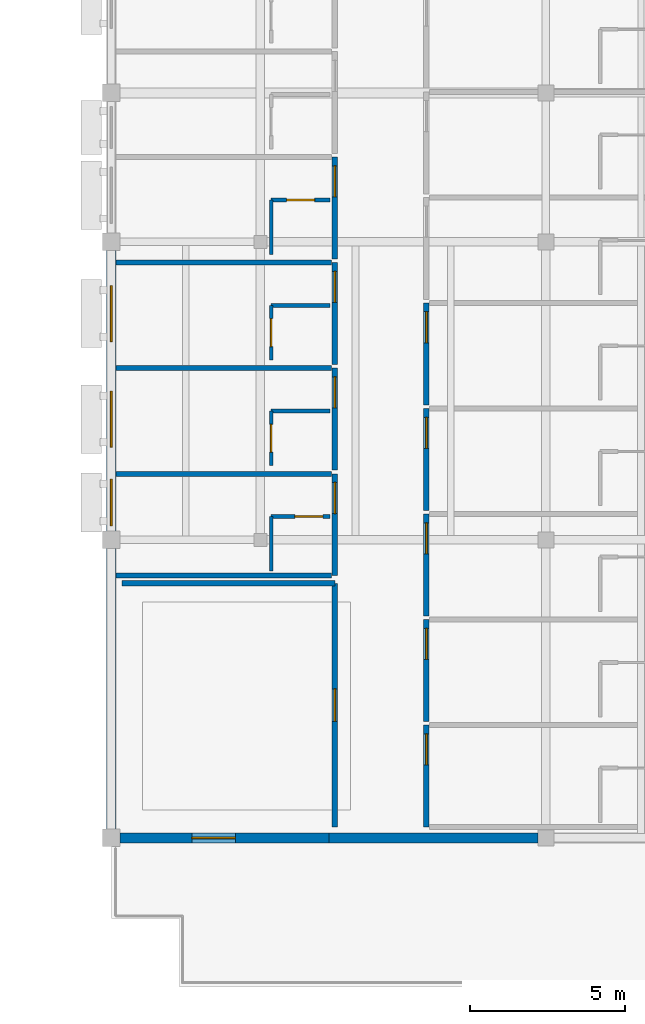
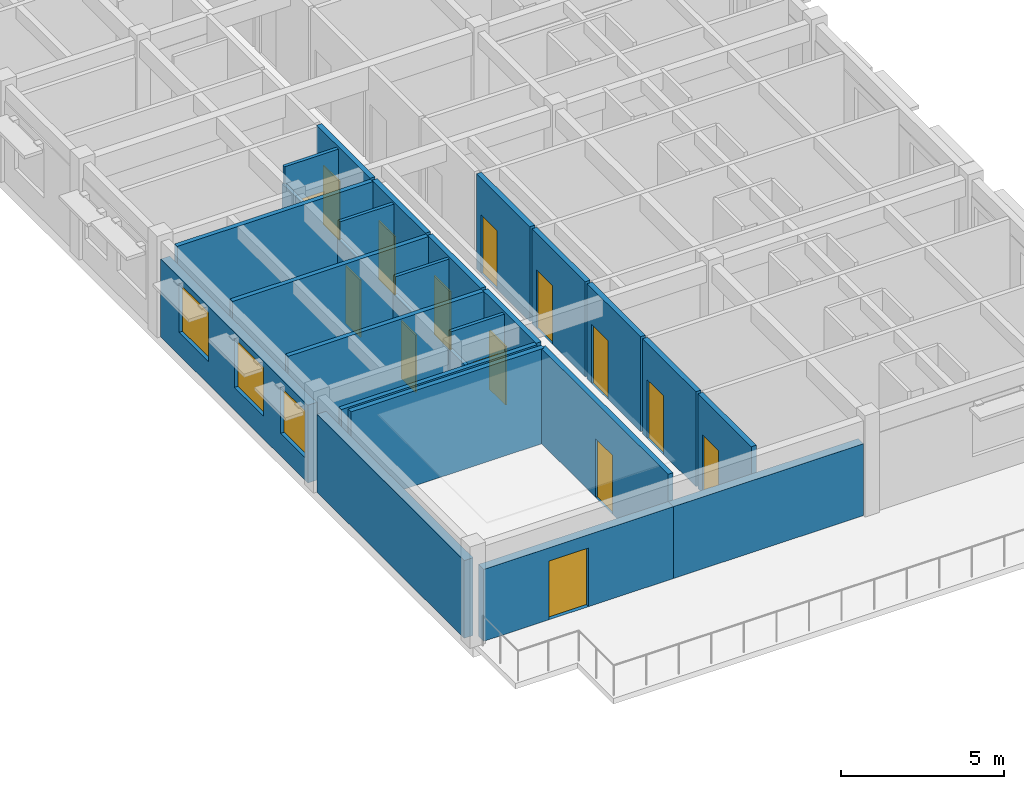
# One storey, part 25 of 40: 27 walls, 15 doors, 3 windows, 18 openings.
"""IFC4 building model written with IfcOpenShell, lengths in metres."""

from ifc_helpers import new_model, si_unit, direction, frame, frame_2d, origin, place, context, subcontext, project, spatial, rectangle, extrude, material, layer, layer_set, type_object, element, fill, save


model = new_model("IFC4")

# Units and contexts
model_context = context("Model", 3, precision=1e-05, world=origin(), true_north=direction((0.0, 1.0)))
body_context = subcontext(model_context, "Body", "Model", "MODEL_VIEW")
ifc_project = project(units=[si_unit("LENGTHUNIT", "METRE"), si_unit("AREAUNIT", "SQUARE_METRE"), si_unit("VOLUMEUNIT", "CUBIC_METRE"), si_unit("PLANEANGLEUNIT", "RADIAN"), si_unit("MASSUNIT", "GRAM", prefix="KILO")], contexts=[model_context])

# Site, building, storey
site_placement = place(None, origin())
site = spatial("IfcSite", under=ifc_project, at=site_placement, CompositionType="ELEMENT")
building_placement = place(site_placement, origin())
building = spatial("IfcBuilding", under=site, at=building_placement, Name="Veldera Park Congress Hotel", CompositionType="ELEMENT")
storey_placement = place(building_placement, frame((0.0, 0.0, 16.199951171875)))
storey = spatial("IfcBuildingStorey", under=building, at=storey_placement, Name="L03", CompositionType="ELEMENT", Elevation=16.199951171875)

# Wall, opening, door
ifc_material_1 = material(Name="Cross-laminated timber CLT V2M1.1", Category="wood")
ifc_layer_1 = layer(ifc_material_1, 0.320068359375)
ifc_layer_set_1 = layer_set([ifc_layer_1], Name="Cross-laminated timber CLT V2M1.1")
wall_type_1 = type_object("IfcWallType", Name="EW-CLT320", PredefinedType="STANDARD", material=ifc_layer_set_1)
wall_1_placement = place(storey_placement, frame((61.077880859375, -47.39990234375, 0.0), z_axis=(0.0, 0.0, 1.0), x_axis=(1.0, 0.0, 0.0)))
wall_1 = element("IfcWall", 1, at=wall_1_placement, inside=storey, type_object=wall_type_1, Name="L03 Exterior Wall EW3-L03-0208", PredefinedType="STANDARD", context=body_context, shape_type="SweptSolid", body=[
    extrude(rectangle(XDim=6.734130859375, YDim=0.320068359375, at=frame_2d((3.3671875, 0.0))), origin(), (0.0, 0.0, 1.0), 2.695068359375),
])
opening_1_placement = place(wall_1_placement, frame((2.322021484375, 0.0, 0.0)))
opening_1 = element("IfcOpeningElement", 2, at=opening_1_placement, cuts=wall_1, Name="Opening ED-TER140", PredefinedType="OPENING", context=body_context, shape_type="SweptSolid", body=[
    extrude(rectangle(XDim=1.39990234375, YDim=2.199951171875, at=frame_2d((0.699951171875, 1.10009765625))), frame((0.0, 0.172119140625, 0.0), z_axis=(0.0, -1.0, 0.0), x_axis=(1.0, 0.0, 0.0)), (0.0, 0.0, 1.0), 0.343994140625),
])
ifc_material_2 = material(Name="Anodised Aluminium Alloy 6063-T6", Category="aluminium")
door_type_1 = type_object("IfcDoorType", Name="ED-TER140", OperationType="DOUBLE_DOOR_SINGLE_SWING", PredefinedType="DOOR", material=ifc_material_2)
door_1_placement = place(opening_1_placement, frame((1.39990234375, 0.0, 0.0), z_axis=(0.0, 0.0, 1.0), x_axis=(-1.0, 0.0, 0.0)))
door_1 = element("IfcDoor", 3, at=door_1_placement, inside=storey, type_object=door_type_1, Name="Exterior Door TD-L03-S (DR3-EXT-L03-0024)", OperationType="DOUBLE_DOOR_SINGLE_SWING", OverallHeight=2.199951171875, OverallWidth=1.39990234375, PredefinedType="DOOR", context=body_context, shape_type="SweptSolid", body=[
    extrude(rectangle(XDim=1.39990234375, YDim=2.199951171875, at=frame_2d((0.699951171875, 1.10009765625))), frame((0.0, 0.02490234375, 0.0), z_axis=(0.0, -1.0, 0.0), x_axis=(1.0, 0.0, 0.0)), (0.0, 0.0, 1.0), 0.050048828125),
])
fill(opening_1, door_1)

# Wall
wall_2_placement = place(storey_placement, frame((67.80810546875, -47.39990234375, 0.0), z_axis=(0.0, 0.0, 1.0), x_axis=(1.0, 0.0, 0.0)))
element("IfcWall", 4, at=wall_2_placement, inside=storey, type_object=wall_type_1, Name="L03 Exterior Wall EW3-L03-0209", PredefinedType="STANDARD", context=body_context, shape_type="SweptSolid", body=[
    extrude(rectangle(XDim=6.73388671875, YDim=0.320068359375, at=frame_2d((3.366943359375, 0.0))), origin(), (0.0, 0.0, 1.0), 2.695068359375),
])

# Wall, openings, windows
wall_3_placement = place(storey_placement, frame((60.800048828125, -28.47802734375, 0.0), z_axis=(0.0, 0.0, 1.0), x_axis=(0.0, -1.0, 0.0)))
wall_3 = element("IfcWall", 5, at=wall_3_placement, inside=storey, type_object=wall_type_1, Name="L03 Exterior Wall EW3-L03-0240", PredefinedType="STANDARD", context=body_context, shape_type="SweptSolid", body=[
    extrude(rectangle(XDim=9.0439453125, YDim=0.320068359375, at=frame_2d((4.52197265625, 0.0))), origin(), (0.0, 0.0, 1.0), 2.9150390625),
])
opening_2_placement = place(wall_3_placement, frame((7.367919921875, 0.0, 0.85009765625)))
opening_2 = element("IfcOpeningElement", 6, at=opening_2_placement, cuts=wall_3, Name="Opening WIN-1500", PredefinedType="OPENING", context=body_context, shape_type="SweptSolid", body=[
    extrude(rectangle(XDim=1.5, YDim=1.75, at=frame_2d((0.75, 0.875))), frame((0.0, 0.172119140625, 0.0), z_axis=(0.0, -1.0, 0.0), x_axis=(1.0, 0.0, 0.0)), (0.0, 0.0, 1.0), 0.343994140625),
])
opening_3_placement = place(wall_3_placement, frame((4.531982421875, 0.0, 0.85009765625)))
opening_3 = element("IfcOpeningElement", 7, at=opening_3_placement, cuts=wall_3, Name="Opening WIN-1800", PredefinedType="OPENING", context=body_context, shape_type="SweptSolid", body=[
    extrude(rectangle(XDim=1.800048828125, YDim=1.85009765625, at=frame_2d((0.89990234375, 0.925048828125))), frame((0.0, 0.172119140625, 0.0), z_axis=(0.0, -1.0, 0.0), x_axis=(1.0, 0.0, 0.0)), (0.0, 0.0, 1.0), 0.343994140625),
])
opening_4_placement = place(wall_3_placement, frame((1.132080078125, 0.0, 0.85009765625)))
opening_4 = element("IfcOpeningElement", 8, at=opening_4_placement, cuts=wall_3, Name="Opening WIN-1800", PredefinedType="OPENING", context=body_context, shape_type="SweptSolid", body=[
    extrude(rectangle(XDim=1.800048828125, YDim=1.85009765625, at=frame_2d((0.89990234375, 0.925048828125))), frame((0.0, 0.172119140625, 0.0), z_axis=(0.0, -1.0, 0.0), x_axis=(1.0, 0.0, 0.0)), (0.0, 0.0, 1.0), 0.343994140625),
])
ifc_material_3 = material(Name="Low-E Triple Insulating Glass Unit (SHGC 0.22)", Category="glass")
window_type_1 = type_object("IfcWindowType", Name="WIN-1500", PartitioningType="SINGLE_PANEL", PredefinedType="WINDOW", material=ifc_material_3)
window_1_placement = place(opening_2_placement, origin())
window_1 = element("IfcWindow", 9, at=window_1_placement, inside=storey, type_object=window_type_1, Name="L03 Window WIN-1500 399", OverallHeight=1.75, OverallWidth=1.5, PartitioningType="SINGLE_PANEL", PredefinedType="WINDOW", context=body_context, shape_type="SweptSolid", body=[
    extrude(rectangle(XDim=1.5, YDim=1.75, at=frame_2d((0.75, 0.875))), frame((0.0, 0.030029296875, 0.0), z_axis=(0.0, -1.0, 0.0), x_axis=(1.0, 0.0, 0.0)), (0.0, 0.0, 1.0), 0.06005859375),
])
fill(opening_2, window_1)
window_type_2 = type_object("IfcWindowType", Name="WIN-1800", PartitioningType="SINGLE_PANEL", PredefinedType="WINDOW", material=ifc_material_3)
window_2_placement = place(opening_3_placement, origin())
window_2 = element("IfcWindow", 10, at=window_2_placement, inside=storey, type_object=window_type_2, Name="L03 Window WIN-1800 400", OverallHeight=1.85009765625, OverallWidth=1.800048828125, PartitioningType="SINGLE_PANEL", PredefinedType="WINDOW", context=body_context, shape_type="SweptSolid", body=[
    extrude(rectangle(XDim=1.800048828125, YDim=1.85009765625, at=frame_2d((0.89990234375, 0.925048828125))), frame((0.0, 0.030029296875, 0.0), z_axis=(0.0, -1.0, 0.0), x_axis=(1.0, 0.0, 0.0)), (0.0, 0.0, 1.0), 0.06005859375),
])
fill(opening_3, window_2)
window_3_placement = place(opening_4_placement, origin())
window_3 = element("IfcWindow", 11, at=window_3_placement, inside=storey, type_object=window_type_2, Name="L03 Window WIN-1800 401", OverallHeight=1.85009765625, OverallWidth=1.800048828125, PartitioningType="SINGLE_PANEL", PredefinedType="WINDOW", context=body_context, shape_type="SweptSolid", body=[
    extrude(rectangle(XDim=1.800048828125, YDim=1.85009765625, at=frame_2d((0.89990234375, 0.925048828125))), frame((0.0, 0.030029296875, 0.0), z_axis=(0.0, -1.0, 0.0), x_axis=(1.0, 0.0, 0.0)), (0.0, 0.0, 1.0), 0.06005859375),
])
fill(opening_4, window_3)

# Walls
wall_4_placement = place(storey_placement, frame((60.800048828125, -38.077880859375, 0.0), z_axis=(0.0, 0.0, 1.0), x_axis=(0.0, -1.0, 0.0)))
element("IfcWall", 12, at=wall_4_placement, inside=storey, type_object=wall_type_1, Name="L03 Exterior Wall EW3-L03-0241", PredefinedType="STANDARD", context=body_context, shape_type="SweptSolid", body=[
    extrude(rectangle(XDim=9.044189453125, YDim=0.320068359375, at=frame_2d((4.52197265625, 0.0))), origin(), (0.0, 0.0, 1.0), 2.9150390625),
])
ifc_material_4 = material(Name="Fire-Rated Gypsum Board on Cold-Formed Steel Studs", Category="steel")
ifc_layer_2 = layer(ifc_material_4, 0.1201171875)
ifc_layer_set_2 = layer_set([ifc_layer_2], Name="Fire-Rated Gypsum Board on Cold-Formed Steel Studs")
wall_type_2 = type_object("IfcWallType", Name="IW-BATH120", PredefinedType="PARTITIONING", material=ifc_layer_set_2)
wall_5_placement = place(storey_placement, frame((65.949951171875, -38.800048828125, 0.0), z_axis=(0.0, 0.0, 1.0), x_axis=(0.0, 1.0, 0.0)))
element("IfcWall", 13, at=wall_5_placement, inside=storey, type_object=wall_type_2, Name="L03 Partition Wall IW3-L03-00590", PredefinedType="PARTITIONING", context=body_context, shape_type="SweptSolid", body=[
    extrude(rectangle(XDim=1.75, YDim=0.1201171875, at=frame_2d((0.875, 0.0))), origin(), (0.0, 0.0, 1.0), 2.9150390625),
])

# Wall, opening, door
wall_6_placement = place(storey_placement, frame((65.949951171875, -37.050048828125, 0.0), z_axis=(0.0, 0.0, 1.0), x_axis=(1.0, 0.0, 0.0)))
wall_6 = element("IfcWall", 14, at=wall_6_placement, inside=storey, type_object=wall_type_2, Name="L03 Partition Wall IW3-L03-00591", PredefinedType="PARTITIONING", context=body_context, shape_type="SweptSolid", body=[
    extrude(rectangle(XDim=1.900146484375, YDim=0.1201171875, at=frame_2d((0.9501953125, 0.0))), origin(), (0.0, 0.0, 1.0), 3.56005859375),
])
opening_5_placement = place(wall_6_placement, frame((0.76611328125, 0.0, 0.0)))
opening_5 = element("IfcOpeningElement", 15, at=opening_5_placement, cuts=wall_6, Name="Opening ID-BATH090", PredefinedType="OPENING", context=body_context, shape_type="SweptSolid", body=[
    extrude(rectangle(XDim=0.89990234375, YDim=2.14990234375, at=frame_2d((0.449951171875, 1.074951171875))), frame((0.0, 0.072021484375, 0.0), z_axis=(0.0, -1.0, 0.0), x_axis=(1.0, 0.0, 0.0)), (0.0, 0.0, 1.0), 0.14404296875),
])
ifc_material_5 = material(Name="Solid Core White Oak Architectural Door", Category="wood")
door_type_2 = type_object("IfcDoorType", Name="ID-BATH090", OperationType="NOTDEFINED", PredefinedType="DOOR", material=ifc_material_5)
door_2_placement = place(opening_5_placement, origin())
door_2 = element("IfcDoor", 16, at=door_2_placement, inside=storey, type_object=door_type_2, Name="L03 En-suite 049 Door ID3-L03-0237 (DR3-ID3-L03-0237)", OperationType="SINGLE_SWING_LEFT", OverallHeight=2.14990234375, OverallWidth=0.89990234375, PredefinedType="DOOR", context=body_context, shape_type="SweptSolid", body=[
    extrude(rectangle(XDim=0.89990234375, YDim=2.14990234375, at=frame_2d((0.449951171875, 1.074951171875))), frame((0.0, 0.02490234375, 0.0), z_axis=(0.0, -1.0, 0.0), x_axis=(1.0, 0.0, 0.0)), (0.0, 0.0, 1.0), 0.050048828125),
])
fill(opening_5, door_2)

wall_7_placement = place(storey_placement, frame((65.949951171875, -35.39990234375, 0.0), z_axis=(0.0, 0.0, 1.0), x_axis=(0.0, 1.0, 0.0)))
wall_7 = element("IfcWall", 17, at=wall_7_placement, inside=storey, type_object=wall_type_2, Name="L03 Partition Wall IW3-L03-00594", PredefinedType="PARTITIONING", context=body_context, shape_type="SweptSolid", body=[
    extrude(rectangle(XDim=1.75, YDim=0.1201171875, at=frame_2d((0.875, 0.0))), origin(), (0.0, 0.0, 1.0), 2.9150390625),
])
opening_6_placement = place(wall_7_placement, frame((0.425048828125, 0.0, 0.0)))
opening_6 = element("IfcOpeningElement", 18, at=opening_6_placement, cuts=wall_7, Name="Opening ID-BATH090", PredefinedType="OPENING", context=body_context, shape_type="SweptSolid", body=[
    extrude(rectangle(XDim=0.89990234375, YDim=2.14990234375, at=frame_2d((0.449951171875, 1.074951171875))), frame((0.0, 0.072021484375, 0.0), z_axis=(0.0, -1.0, 0.0), x_axis=(1.0, 0.0, 0.0)), (0.0, 0.0, 1.0), 0.14404296875),
])
door_3_placement = place(opening_6_placement, origin())
door_3 = element("IfcDoor", 19, at=door_3_placement, inside=storey, type_object=door_type_2, Name="L03 En-suite 050 Door ID3-L03-0239 (DR3-ID3-L03-0239)", OperationType="SINGLE_SWING_LEFT", OverallHeight=2.14990234375, OverallWidth=0.89990234375, PredefinedType="DOOR", context=body_context, shape_type="SweptSolid", body=[
    extrude(rectangle(XDim=0.89990234375, YDim=2.14990234375, at=frame_2d((0.449951171875, 1.074951171875))), frame((0.0, 0.02490234375, 0.0), z_axis=(0.0, -1.0, 0.0), x_axis=(1.0, 0.0, 0.0)), (0.0, 0.0, 1.0), 0.050048828125),
])
fill(opening_6, door_3)

# Wall
wall_8_placement = place(storey_placement, frame((65.949951171875, -33.64990234375, 0.0), z_axis=(0.0, 0.0, 1.0), x_axis=(1.0, 0.0, 0.0)))
element("IfcWall", 20, at=wall_8_placement, inside=storey, type_object=wall_type_2, Name="L03 Partition Wall IW3-L03-00595", PredefinedType="PARTITIONING", context=body_context, shape_type="SweptSolid", body=[
    extrude(rectangle(XDim=1.900146484375, YDim=0.1201171875, at=frame_2d((0.9501953125, 0.0))), origin(), (0.0, 0.0, 1.0), 3.56005859375),
])

# Wall, opening, door
wall_9_placement = place(storey_placement, frame((65.949951171875, -32.0, 0.0), z_axis=(0.0, 0.0, 1.0), x_axis=(0.0, 1.0, 0.0)))
wall_9 = element("IfcWall", 21, at=wall_9_placement, inside=storey, type_object=wall_type_2, Name="L03 Partition Wall IW3-L03-00598", PredefinedType="PARTITIONING", context=body_context, shape_type="SweptSolid", body=[
    extrude(rectangle(XDim=1.75, YDim=0.1201171875, at=frame_2d((0.875, 0.0))), origin(), (0.0, 0.0, 1.0), 2.9150390625),
])
opening_7_placement = place(wall_9_placement, frame((0.425048828125, 0.0, 0.0)))
opening_7 = element("IfcOpeningElement", 22, at=opening_7_placement, cuts=wall_9, Name="Opening ID-BATH090", PredefinedType="OPENING", context=body_context, shape_type="SweptSolid", body=[
    extrude(rectangle(XDim=0.89990234375, YDim=2.14990234375, at=frame_2d((0.449951171875, 1.074951171875))), frame((0.0, 0.072021484375, 0.0), z_axis=(0.0, -1.0, 0.0), x_axis=(1.0, 0.0, 0.0)), (0.0, 0.0, 1.0), 0.14404296875),
])
door_4_placement = place(opening_7_placement, origin())
door_4 = element("IfcDoor", 23, at=door_4_placement, inside=storey, type_object=door_type_2, Name="L03 En-suite 051 Door ID3-L03-0241 (DR3-ID3-L03-0241)", OperationType="SINGLE_SWING_LEFT", OverallHeight=2.14990234375, OverallWidth=0.89990234375, PredefinedType="DOOR", context=body_context, shape_type="SweptSolid", body=[
    extrude(rectangle(XDim=0.89990234375, YDim=2.14990234375, at=frame_2d((0.449951171875, 1.074951171875))), frame((0.0, 0.02490234375, 0.0), z_axis=(0.0, -1.0, 0.0), x_axis=(1.0, 0.0, 0.0)), (0.0, 0.0, 1.0), 0.050048828125),
])
fill(opening_7, door_4)

# Walls
wall_10_placement = place(storey_placement, frame((65.949951171875, -30.25, 0.0), z_axis=(0.0, 0.0, 1.0), x_axis=(1.0, 0.0, 0.0)))
element("IfcWall", 24, at=wall_10_placement, inside=storey, type_object=wall_type_2, Name="L03 Partition Wall IW3-L03-00599", PredefinedType="PARTITIONING", context=body_context, shape_type="SweptSolid", body=[
    extrude(rectangle(XDim=1.900146484375, YDim=0.1201171875, at=frame_2d((0.9501953125, 0.0))), origin(), (0.0, 0.0, 1.0), 3.56005859375),
])
wall_11_placement = place(storey_placement, frame((65.949951171875, -28.60009765625, 0.0), z_axis=(0.0, 0.0, 1.0), x_axis=(0.0, 1.0, 0.0)))
element("IfcWall", 25, at=wall_11_placement, inside=storey, type_object=wall_type_2, Name="L03 Partition Wall IW3-L03-00602", PredefinedType="PARTITIONING", context=body_context, shape_type="SweptSolid", body=[
    extrude(rectangle(XDim=1.75, YDim=0.1201171875, at=frame_2d((0.875, 0.0))), origin(), (0.0, 0.0, 1.0), 2.9150390625),
])

# Wall, opening, door
wall_12_placement = place(storey_placement, frame((65.949951171875, -26.85009765625, 0.0), z_axis=(0.0, 0.0, 1.0), x_axis=(1.0, 0.0, 0.0)))
wall_12 = element("IfcWall", 26, at=wall_12_placement, inside=storey, type_object=wall_type_2, Name="L03 Partition Wall IW3-L03-00603", PredefinedType="PARTITIONING", context=body_context, shape_type="SweptSolid", body=[
    extrude(rectangle(XDim=1.900146484375, YDim=0.1201171875, at=frame_2d((0.9501953125, 0.0))), origin(), (0.0, 0.0, 1.0), 3.56005859375),
])
opening_8_placement = place(wall_12_placement, frame((0.5, 0.0, 0.0)))
opening_8 = element("IfcOpeningElement", 27, at=opening_8_placement, cuts=wall_12, Name="Opening ID-BATH090", PredefinedType="OPENING", context=body_context, shape_type="SweptSolid", body=[
    extrude(rectangle(XDim=0.89990234375, YDim=2.14990234375, at=frame_2d((0.449951171875, 1.074951171875))), frame((0.0, 0.072021484375, 0.0), z_axis=(0.0, -1.0, 0.0), x_axis=(1.0, 0.0, 0.0)), (0.0, 0.0, 1.0), 0.14404296875),
])
door_5_placement = place(opening_8_placement, origin())
door_5 = element("IfcDoor", 28, at=door_5_placement, inside=storey, type_object=door_type_2, Name="L03 En-suite 052 Door ID3-L03-0243 (DR3-ID3-L03-0243)", OperationType="SINGLE_SWING_LEFT", OverallHeight=2.14990234375, OverallWidth=0.89990234375, PredefinedType="DOOR", context=body_context, shape_type="SweptSolid", body=[
    extrude(rectangle(XDim=0.89990234375, YDim=2.14990234375, at=frame_2d((0.449951171875, 1.074951171875))), frame((0.0, 0.02490234375, 0.0), z_axis=(0.0, -1.0, 0.0), x_axis=(1.0, 0.0, 0.0)), (0.0, 0.0, 1.0), 0.050048828125),
])
fill(opening_8, door_5)

ifc_layer_3 = layer(ifc_material_4, 0.179931640625)
ifc_layer_set_3 = layer_set([ifc_layer_3], Name="Fire-Rated Gypsum Board on Cold-Formed Steel Studs")
wall_type_3 = type_object("IfcWallType", Name="IW-CORR180", PredefinedType="PARTITIONING", material=ifc_layer_set_3)
wall_13_placement = place(storey_placement, frame((68.0, -47.050048828125, 0.0), z_axis=(0.0, 0.0, 1.0), x_axis=(0.0, 1.0, 0.0)))
wall_13 = element("IfcWall", 29, at=wall_13_placement, inside=storey, type_object=wall_type_3, Name="L03 Partition Wall IW3-L03-00232", PredefinedType="PARTITIONING", context=body_context, shape_type="SweptSolid", body=[
    extrude(rectangle(XDim=7.85009765625, YDim=0.179931640625, at=frame_2d((3.925048828125, 0.0))), origin(), (0.0, 0.0, 1.0), 3.56005859375),
])
opening_9_placement = place(wall_13_placement, frame((3.39990234375, 0.0, 0.0)))
opening_9 = element("IfcOpeningElement", 30, at=opening_9_placement, cuts=wall_13, Name="Opening ID-MEET105", PredefinedType="OPENING", context=body_context, shape_type="SweptSolid", body=[
    extrude(rectangle(XDim=1.050048828125, YDim=2.199951171875, at=frame_2d((0.52490234375, 1.10009765625))), frame((0.0, 0.10205078125, 0.0), z_axis=(0.0, -1.0, 0.0), x_axis=(1.0, 0.0, 0.0)), (0.0, 0.0, 1.0), 0.203857421875),
])
door_type_3 = type_object("IfcDoorType", Name="ID-MEET105", OperationType="NOTDEFINED", PredefinedType="DOOR", material=ifc_material_5)
door_6_placement = place(opening_9_placement, origin())
door_6 = element("IfcDoor", 31, at=door_6_placement, inside=storey, type_object=door_type_3, Name="L03 Club Veldera Executive Lounge Door ID3-L03-0083 (DR3-ID3-L03-0083)", OperationType="SINGLE_SWING_RIGHT", OverallHeight=2.199951171875, OverallWidth=1.050048828125, PredefinedType="DOOR", context=body_context, shape_type="SweptSolid", body=[
    extrude(rectangle(XDim=1.050048828125, YDim=2.199951171875, at=frame_2d((0.52490234375, 1.10009765625))), frame((0.0, 0.02490234375, 0.0), z_axis=(0.0, -1.0, 0.0), x_axis=(1.0, 0.0, 0.0)), (0.0, 0.0, 1.0), 0.050048828125),
])
fill(opening_9, door_6)

# Wall
wall_14_placement = place(storey_placement, frame((68.0, -39.199951171875, 0.0), z_axis=(0.0, 0.0, 1.0), x_axis=(-1.0, 0.0, 0.0)))
element("IfcWall", 32, at=wall_14_placement, inside=storey, type_object=wall_type_3, Name="L03 Partition Wall IW3-L03-00233", PredefinedType="PARTITIONING", context=body_context, shape_type="SweptSolid", body=[
    extrude(rectangle(XDim=6.85009765625, YDim=0.179931640625, at=frame_2d((3.425048828125, 0.0))), origin(), (0.0, 0.0, 1.0), 3.56005859375),
])

# Wall, opening, door
wall_15_placement = place(storey_placement, frame((68.0, -38.949951171875, 0.0), z_axis=(0.0, 0.0, 1.0), x_axis=(0.0, 1.0, 0.0)))
wall_15 = element("IfcWall", 33, at=wall_15_placement, inside=storey, type_object=wall_type_3, Name="L03 Corridor Wall IW3-L03-00587", PredefinedType="PARTITIONING", context=body_context, shape_type="SweptSolid", body=[
    extrude(rectangle(XDim=3.280029296875, YDim=0.179931640625, at=frame_2d((1.64013671875, 0.0))), origin(), (0.0, 0.0, 1.0), 3.56005859375),
])
opening_10_placement = place(wall_15_placement, frame((2.0, 0.0, 0.0)))
opening_10 = element("IfcOpeningElement", 34, at=opening_10_placement, cuts=wall_15, Name="Opening ID-UNIT100", PredefinedType="OPENING", context=body_context, shape_type="SweptSolid", body=[
    extrude(rectangle(XDim=1.0, YDim=2.199951171875, at=frame_2d((0.5, 1.10009765625))), frame((0.0, 0.10205078125, 0.0), z_axis=(0.0, -1.0, 0.0), x_axis=(1.0, 0.0, 0.0)), (0.0, 0.0, 1.0), 0.203857421875),
])
door_type_4 = type_object("IfcDoorType", Name="ID-UNIT100", OperationType="NOTDEFINED", PredefinedType="DOOR", material=ifc_material_5)
door_7_placement = place(opening_10_placement, origin())
door_7 = element("IfcDoor", 35, at=door_7_placement, inside=storey, type_object=door_type_4, Name="L03 Guestroom 049 Entry Door (DR3-UD3-L03-049)", OperationType="SINGLE_SWING_RIGHT", OverallHeight=2.199951171875, OverallWidth=1.0, PredefinedType="DOOR", context=body_context, shape_type="SweptSolid", body=[
    extrude(rectangle(XDim=1.0, YDim=2.199951171875, at=frame_2d((0.5, 1.10009765625))), frame((0.0, 0.02490234375, 0.0), z_axis=(0.0, -1.0, 0.0), x_axis=(1.0, 0.0, 0.0)), (0.0, 0.0, 1.0), 0.050048828125),
])
fill(opening_10, door_7)

wall_16_placement = place(storey_placement, frame((68.0, -35.550048828125, 0.0), z_axis=(0.0, 0.0, 1.0), x_axis=(0.0, 1.0, 0.0)))
wall_16 = element("IfcWall", 36, at=wall_16_placement, inside=storey, type_object=wall_type_3, Name="L03 Corridor Wall IW3-L03-00592", PredefinedType="PARTITIONING", context=body_context, shape_type="SweptSolid", body=[
    extrude(rectangle(XDim=3.280029296875, YDim=0.179931640625, at=frame_2d((1.64013671875, 0.0))), origin(), (0.0, 0.0, 1.0), 3.56005859375),
])
opening_11_placement = place(wall_16_placement, frame((2.0, 0.0, 0.0)))
opening_11 = element("IfcOpeningElement", 37, at=opening_11_placement, cuts=wall_16, Name="Opening ID-UNIT100", PredefinedType="OPENING", context=body_context, shape_type="SweptSolid", body=[
    extrude(rectangle(XDim=1.0, YDim=2.199951171875, at=frame_2d((0.5, 1.10009765625))), frame((0.0, 0.10205078125, 0.0), z_axis=(0.0, -1.0, 0.0), x_axis=(1.0, 0.0, 0.0)), (0.0, 0.0, 1.0), 0.203857421875),
])
door_8_placement = place(opening_11_placement, origin())
door_8 = element("IfcDoor", 38, at=door_8_placement, inside=storey, type_object=door_type_4, Name="L03 Guestroom 050 Entry Door (DR3-UD3-L03-050)", OperationType="SINGLE_SWING_RIGHT", OverallHeight=2.199951171875, OverallWidth=1.0, PredefinedType="DOOR", context=body_context, shape_type="SweptSolid", body=[
    extrude(rectangle(XDim=1.0, YDim=2.199951171875, at=frame_2d((0.5, 1.10009765625))), frame((0.0, 0.02490234375, 0.0), z_axis=(0.0, -1.0, 0.0), x_axis=(1.0, 0.0, 0.0)), (0.0, 0.0, 1.0), 0.050048828125),
])
fill(opening_11, door_8)

wall_17_placement = place(storey_placement, frame((68.0, -32.14990234375, 0.0), z_axis=(0.0, 0.0, 1.0), x_axis=(0.0, 1.0, 0.0)))
wall_17 = element("IfcWall", 39, at=wall_17_placement, inside=storey, type_object=wall_type_3, Name="L03 Corridor Wall IW3-L03-00596", PredefinedType="PARTITIONING", context=body_context, shape_type="SweptSolid", body=[
    extrude(rectangle(XDim=3.27978515625, YDim=0.179931640625, at=frame_2d((1.639892578125, 0.0))), origin(), (0.0, 0.0, 1.0), 3.56005859375),
])
opening_12_placement = place(wall_17_placement, frame((2.0, 0.0, 0.0)))
opening_12 = element("IfcOpeningElement", 40, at=opening_12_placement, cuts=wall_17, Name="Opening ID-UNIT100", PredefinedType="OPENING", context=body_context, shape_type="SweptSolid", body=[
    extrude(rectangle(XDim=1.0, YDim=2.199951171875, at=frame_2d((0.5, 1.10009765625))), frame((0.0, 0.10205078125, 0.0), z_axis=(0.0, -1.0, 0.0), x_axis=(1.0, 0.0, 0.0)), (0.0, 0.0, 1.0), 0.203857421875),
])
door_9_placement = place(opening_12_placement, origin())
door_9 = element("IfcDoor", 41, at=door_9_placement, inside=storey, type_object=door_type_4, Name="L03 Guestroom 051 Entry Door (DR3-UD3-L03-051)", OperationType="SINGLE_SWING_RIGHT", OverallHeight=2.199951171875, OverallWidth=1.0, PredefinedType="DOOR", context=body_context, shape_type="SweptSolid", body=[
    extrude(rectangle(XDim=1.0, YDim=2.199951171875, at=frame_2d((0.5, 1.10009765625))), frame((0.0, 0.02490234375, 0.0), z_axis=(0.0, -1.0, 0.0), x_axis=(1.0, 0.0, 0.0)), (0.0, 0.0, 1.0), 0.050048828125),
])
fill(opening_12, door_9)

wall_18_placement = place(storey_placement, frame((68.0, -28.75, 0.0), z_axis=(0.0, 0.0, 1.0), x_axis=(0.0, 1.0, 0.0)))
wall_18 = element("IfcWall", 42, at=wall_18_placement, inside=storey, type_object=wall_type_3, Name="L03 Corridor Wall IW3-L03-00600", PredefinedType="PARTITIONING", context=body_context, shape_type="SweptSolid", body=[
    extrude(rectangle(XDim=3.280029296875, YDim=0.179931640625, at=frame_2d((1.64013671875, 0.0))), origin(), (0.0, 0.0, 1.0), 3.56005859375),
])
opening_13_placement = place(wall_18_placement, frame((2.0, 0.0, 0.0)))
opening_13 = element("IfcOpeningElement", 43, at=opening_13_placement, cuts=wall_18, Name="Opening ID-UNIT100", PredefinedType="OPENING", context=body_context, shape_type="SweptSolid", body=[
    extrude(rectangle(XDim=1.0, YDim=2.199951171875, at=frame_2d((0.5, 1.10009765625))), frame((0.0, 0.10205078125, 0.0), z_axis=(0.0, -1.0, 0.0), x_axis=(1.0, 0.0, 0.0)), (0.0, 0.0, 1.0), 0.203857421875),
])
door_10_placement = place(opening_13_placement, origin())
door_10 = element("IfcDoor", 44, at=door_10_placement, inside=storey, type_object=door_type_4, Name="L03 Guestroom 052 Entry Door (DR3-UD3-L03-052)", OperationType="SINGLE_SWING_RIGHT", OverallHeight=2.199951171875, OverallWidth=1.0, PredefinedType="DOOR", context=body_context, shape_type="SweptSolid", body=[
    extrude(rectangle(XDim=1.0, YDim=2.199951171875, at=frame_2d((0.5, 1.10009765625))), frame((0.0, 0.02490234375, 0.0), z_axis=(0.0, -1.0, 0.0), x_axis=(1.0, 0.0, 0.0)), (0.0, 0.0, 1.0), 0.050048828125),
])
fill(opening_13, door_10)

wall_19_placement = place(storey_placement, frame((70.949951171875, -43.77001953125, 0.0), z_axis=(0.0, 0.0, 1.0), x_axis=(0.0, -1.0, 0.0)))
wall_19 = element("IfcWall", 45, at=wall_19_placement, inside=storey, type_object=wall_type_3, Name="L03 Corridor Wall IW3-L03-00668", PredefinedType="PARTITIONING", context=body_context, shape_type="SweptSolid", body=[
    extrude(rectangle(XDim=3.280029296875, YDim=0.179931640625, at=frame_2d((1.64013671875, 0.0))), origin(), (0.0, 0.0, 1.0), 3.56005859375),
])
opening_14_placement = place(wall_19_placement, frame((0.280029296875, 0.0, 0.0)))
opening_14 = element("IfcOpeningElement", 46, at=opening_14_placement, cuts=wall_19, Name="Opening ID-UNIT100", PredefinedType="OPENING", context=body_context, shape_type="SweptSolid", body=[
    extrude(rectangle(XDim=1.0, YDim=2.199951171875, at=frame_2d((0.5, 1.10009765625))), frame((0.0, 0.10205078125, 0.0), z_axis=(0.0, -1.0, 0.0), x_axis=(1.0, 0.0, 0.0)), (0.0, 0.0, 1.0), 0.203857421875),
])
door_11_placement = place(opening_14_placement, origin())
door_11 = element("IfcDoor", 47, at=door_11_placement, inside=storey, type_object=door_type_4, Name="L03 Guestroom 069 Entry Door (DR3-UD3-L03-069)", OperationType="SINGLE_SWING_RIGHT", OverallHeight=2.199951171875, OverallWidth=1.0, PredefinedType="DOOR", context=body_context, shape_type="SweptSolid", body=[
    extrude(rectangle(XDim=1.0, YDim=2.199951171875, at=frame_2d((0.5, 1.10009765625))), frame((0.0, 0.02490234375, 0.0), z_axis=(0.0, -1.0, 0.0), x_axis=(1.0, 0.0, 0.0)), (0.0, 0.0, 1.0), 0.050048828125),
])
fill(opening_14, door_11)

wall_20_placement = place(storey_placement, frame((70.949951171875, -40.3701171875, 0.0), z_axis=(0.0, 0.0, 1.0), x_axis=(0.0, -1.0, 0.0)))
wall_20 = element("IfcWall", 48, at=wall_20_placement, inside=storey, type_object=wall_type_3, Name="L03 Corridor Wall IW3-L03-00674", PredefinedType="PARTITIONING", context=body_context, shape_type="SweptSolid", body=[
    extrude(rectangle(XDim=3.27978515625, YDim=0.179931640625, at=frame_2d((1.639892578125, 0.0))), origin(), (0.0, 0.0, 1.0), 3.56005859375),
])
opening_15_placement = place(wall_20_placement, frame((0.280029296875, 0.0, 0.0)))
opening_15 = element("IfcOpeningElement", 49, at=opening_15_placement, cuts=wall_20, Name="Opening ID-UNIT100", PredefinedType="OPENING", context=body_context, shape_type="SweptSolid", body=[
    extrude(rectangle(XDim=1.0, YDim=2.199951171875, at=frame_2d((0.5, 1.10009765625))), frame((0.0, 0.10205078125, 0.0), z_axis=(0.0, -1.0, 0.0), x_axis=(1.0, 0.0, 0.0)), (0.0, 0.0, 1.0), 0.203857421875),
])
door_12_placement = place(opening_15_placement, origin())
door_12 = element("IfcDoor", 50, at=door_12_placement, inside=storey, type_object=door_type_4, Name="L03 Guestroom 070 Entry Door (DR3-UD3-L03-070)", OperationType="SINGLE_SWING_RIGHT", OverallHeight=2.199951171875, OverallWidth=1.0, PredefinedType="DOOR", context=body_context, shape_type="SweptSolid", body=[
    extrude(rectangle(XDim=1.0, YDim=2.199951171875, at=frame_2d((0.5, 1.10009765625))), frame((0.0, 0.02490234375, 0.0), z_axis=(0.0, -1.0, 0.0), x_axis=(1.0, 0.0, 0.0)), (0.0, 0.0, 1.0), 0.050048828125),
])
fill(opening_15, door_12)

wall_21_placement = place(storey_placement, frame((70.949951171875, -36.969970703125, 0.0), z_axis=(0.0, 0.0, 1.0), x_axis=(0.0, -1.0, 0.0)))
wall_21 = element("IfcWall", 51, at=wall_21_placement, inside=storey, type_object=wall_type_3, Name="L03 Corridor Wall IW3-L03-00679", PredefinedType="PARTITIONING", context=body_context, shape_type="SweptSolid", body=[
    extrude(rectangle(XDim=3.280029296875, YDim=0.179931640625, at=frame_2d((1.64013671875, 0.0))), origin(), (0.0, 0.0, 1.0), 3.56005859375),
])
opening_16_placement = place(wall_21_placement, frame((0.280029296875, 0.0, 0.0)))
opening_16 = element("IfcOpeningElement", 52, at=opening_16_placement, cuts=wall_21, Name="Opening ID-UNIT100", PredefinedType="OPENING", context=body_context, shape_type="SweptSolid", body=[
    extrude(rectangle(XDim=1.0, YDim=2.199951171875, at=frame_2d((0.5, 1.10009765625))), frame((0.0, 0.10205078125, 0.0), z_axis=(0.0, -1.0, 0.0), x_axis=(1.0, 0.0, 0.0)), (0.0, 0.0, 1.0), 0.203857421875),
])
door_13_placement = place(opening_16_placement, origin())
door_13 = element("IfcDoor", 53, at=door_13_placement, inside=storey, type_object=door_type_4, Name="L03 Guestroom 071 Entry Door (DR3-UD3-L03-071)", OperationType="SINGLE_SWING_RIGHT", OverallHeight=2.199951171875, OverallWidth=1.0, PredefinedType="DOOR", context=body_context, shape_type="SweptSolid", body=[
    extrude(rectangle(XDim=1.0, YDim=2.199951171875, at=frame_2d((0.5, 1.10009765625))), frame((0.0, 0.02490234375, 0.0), z_axis=(0.0, -1.0, 0.0), x_axis=(1.0, 0.0, 0.0)), (0.0, 0.0, 1.0), 0.050048828125),
])
fill(opening_16, door_13)

wall_22_placement = place(storey_placement, frame((70.949951171875, -33.570068359375, 0.0), z_axis=(0.0, 0.0, 1.0), x_axis=(0.0, -1.0, 0.0)))
wall_22 = element("IfcWall", 54, at=wall_22_placement, inside=storey, type_object=wall_type_3, Name="L03 Corridor Wall IW3-L03-00684", PredefinedType="PARTITIONING", context=body_context, shape_type="SweptSolid", body=[
    extrude(rectangle(XDim=3.280029296875, YDim=0.179931640625, at=frame_2d((1.64013671875, 0.0))), origin(), (0.0, 0.0, 1.0), 3.56005859375),
])
opening_17_placement = place(wall_22_placement, frame((0.280029296875, 0.0, 0.0)))
opening_17 = element("IfcOpeningElement", 55, at=opening_17_placement, cuts=wall_22, Name="Opening ID-UNIT100", PredefinedType="OPENING", context=body_context, shape_type="SweptSolid", body=[
    extrude(rectangle(XDim=1.0, YDim=2.199951171875, at=frame_2d((0.5, 1.10009765625))), frame((0.0, 0.10205078125, 0.0), z_axis=(0.0, -1.0, 0.0), x_axis=(1.0, 0.0, 0.0)), (0.0, 0.0, 1.0), 0.203857421875),
])
door_14_placement = place(opening_17_placement, origin())
door_14 = element("IfcDoor", 56, at=door_14_placement, inside=storey, type_object=door_type_4, Name="L03 Guestroom 072 Entry Door (DR3-UD3-L03-072)", OperationType="SINGLE_SWING_RIGHT", OverallHeight=2.199951171875, OverallWidth=1.0, PredefinedType="DOOR", context=body_context, shape_type="SweptSolid", body=[
    extrude(rectangle(XDim=1.0, YDim=2.199951171875, at=frame_2d((0.5, 1.10009765625))), frame((0.0, 0.02490234375, 0.0), z_axis=(0.0, -1.0, 0.0), x_axis=(1.0, 0.0, 0.0)), (0.0, 0.0, 1.0), 0.050048828125),
])
fill(opening_17, door_14)

wall_23_placement = place(storey_placement, frame((70.949951171875, -30.169921875, 0.0), z_axis=(0.0, 0.0, 1.0), x_axis=(0.0, -1.0, 0.0)))
wall_23 = element("IfcWall", 57, at=wall_23_placement, inside=storey, type_object=wall_type_3, Name="L03 Corridor Wall IW3-L03-00689", PredefinedType="PARTITIONING", context=body_context, shape_type="SweptSolid", body=[
    extrude(rectangle(XDim=3.280029296875, YDim=0.179931640625, at=frame_2d((1.64013671875, 0.0))), origin(), (0.0, 0.0, 1.0), 3.56005859375),
])
opening_18_placement = place(wall_23_placement, frame((0.280029296875, 0.0, 0.0)))
opening_18 = element("IfcOpeningElement", 58, at=opening_18_placement, cuts=wall_23, Name="Opening ID-UNIT100", PredefinedType="OPENING", context=body_context, shape_type="SweptSolid", body=[
    extrude(rectangle(XDim=1.0, YDim=2.199951171875, at=frame_2d((0.5, 1.10009765625))), frame((0.0, 0.10205078125, 0.0), z_axis=(0.0, -1.0, 0.0), x_axis=(1.0, 0.0, 0.0)), (0.0, 0.0, 1.0), 0.203857421875),
])
door_15_placement = place(opening_18_placement, origin())
door_15 = element("IfcDoor", 59, at=door_15_placement, inside=storey, type_object=door_type_4, Name="L03 Guestroom 073 Entry Door (DR3-UD3-L03-073)", OperationType="SINGLE_SWING_RIGHT", OverallHeight=2.199951171875, OverallWidth=1.0, PredefinedType="DOOR", context=body_context, shape_type="SweptSolid", body=[
    extrude(rectangle(XDim=1.0, YDim=2.199951171875, at=frame_2d((0.5, 1.10009765625))), frame((0.0, 0.02490234375, 0.0), z_axis=(0.0, -1.0, 0.0), x_axis=(1.0, 0.0, 0.0)), (0.0, 0.0, 1.0), 0.050048828125),
])
fill(opening_18, door_15)

# Walls
ifc_layer_4 = layer(ifc_material_1, 0.159912109375)
ifc_layer_set_4 = layer_set([ifc_layer_4], Name="Cross-laminated timber CLT V2M1.1")
wall_type_4 = type_object("IfcWallType", Name="IW-UNIT160", PredefinedType="PARTITIONING", material=ifc_layer_set_4)
for number, where, z_axis, x_axis, name in (
    (60, (60.9599609375, -38.949951171875, 0.0), (0.0, 0.0, 1.0), (1.0, 0.0, 0.0), "L03 Partition Wall IW3-L03-00588"),
    (61, (60.9599609375, -35.669921875, 0.0), (0.0, 0.0, 1.0), (1.0, 0.0, 0.0), "L03 Partition Wall IW3-L03-00589"),
    (62, (60.9599609375, -32.27001953125, 0.0), (0.0, 0.0, 1.0), (1.0, 0.0, 0.0), "L03 Partition Wall IW3-L03-00593"),
    (63, (60.9599609375, -28.8701171875, 0.0), (0.0, 0.0, 1.0), (1.0, 0.0, 0.0), "L03 Partition Wall IW3-L03-00597"),
):
    element("IfcWall", number, at=place(storey_placement, frame(where, z_axis=z_axis, x_axis=x_axis)), inside=storey, type_object=wall_type_4, Name=name, PredefinedType="PARTITIONING", context=body_context, shape_type="SweptSolid", body=[
        extrude(rectangle(XDim=6.93994140625, YDim=0.159912109375, at=frame_2d((3.469970703125, 0.0))), origin(), (0.0, 0.0, 1.0), 3.56005859375),
    ])

save(model, "model.ifc")
